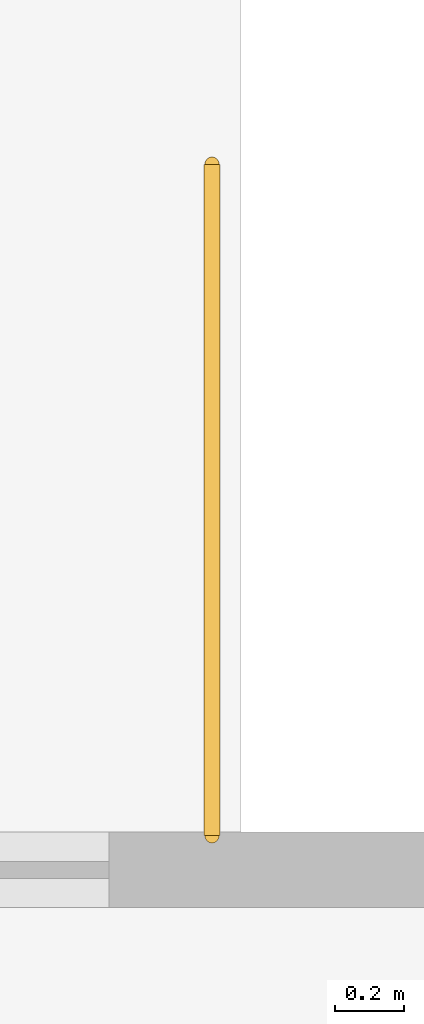
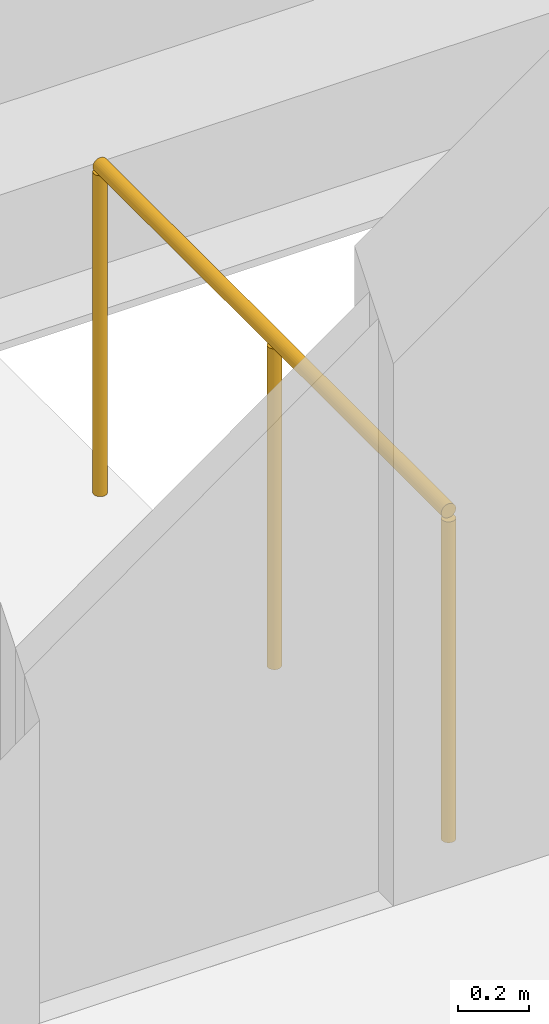
# One storey, part 28 of 28: 1 railing.
"""IFC4 building model written with IfcOpenShell, lengths in metres."""

from ifc_helpers import new_model, si_unit, direction, frame, origin, origin_2d, place, context, subcontext, project, spatial, circle, extrude, material, type_object, element, save


model = new_model("IFC4")

# Units and contexts
model_context = context("Model", 3, precision=1e-05, world=origin(), true_north=direction((0.0, 1.0)))
body_context = subcontext(model_context, "Body", "Model", "MODEL_VIEW")
ifc_project = project(units=[si_unit("LENGTHUNIT", "METRE"), si_unit("AREAUNIT", "SQUARE_METRE"), si_unit("VOLUMEUNIT", "CUBIC_METRE"), si_unit("PLANEANGLEUNIT", "RADIAN"), si_unit("MASSUNIT", "GRAM", prefix="KILO")], contexts=[model_context])

# Site, building, storey
site_placement = place(None, origin())
site = spatial("IfcSite", under=ifc_project, at=site_placement, CompositionType="ELEMENT")
building_placement = place(site_placement, origin())
building = spatial("IfcBuilding", under=site, at=building_placement, Name="Kolveth Station Tower", CompositionType="ELEMENT")
storey_placement = place(building_placement, frame((0.0, 0.0, 18.0)))
storey = spatial("IfcBuildingStorey", under=building, at=storey_placement, Name="L04", CompositionType="ELEMENT", Elevation=18.0)

# Railing
ifc_material = material(Name="Painted Steel S355 balustrade", Category="steel")
railing_type = type_object("IfcRailingType", Name="Guard_GR2", PredefinedType="BALUSTRADE", material=ifc_material)
railing_placement = place(storey_placement, frame((57.699951171875, 35.39990234375, 0.0)))
element("IfcRailing", 1, at=railing_placement, inside=storey, type_object=railing_type, Name="L04 ST3 top well guard 1", PredefinedType="BALUSTRADE", context=body_context, shape_type="SweptSolid", body=[
    extrude(circle(Radius=0.02392578125, at=origin_2d()), frame((0.0, 0.0, 1.1259765625), z_axis=(0.0, 1.0, 0.0), x_axis=(-1.0, 0.0, 0.0)), (0.0, 0.0, 1.0), 1.960205078125),
    extrude(circle(Radius=0.02099609375, at=origin_2d()), origin(), (0.0, 0.0, 1.0), 1.101806640625),
    extrude(circle(Radius=0.02099609375, at=origin_2d()), frame((0.0, 0.97998046875, 0.0)), (0.0, 0.0, 1.0), 1.101806640625),
    extrude(circle(Radius=0.02099609375, at=origin_2d()), frame((0.0, 1.960205078125, 0.0)), (0.0, 0.0, 1.0), 1.101806640625),
])

save(model, "model.ifc")
